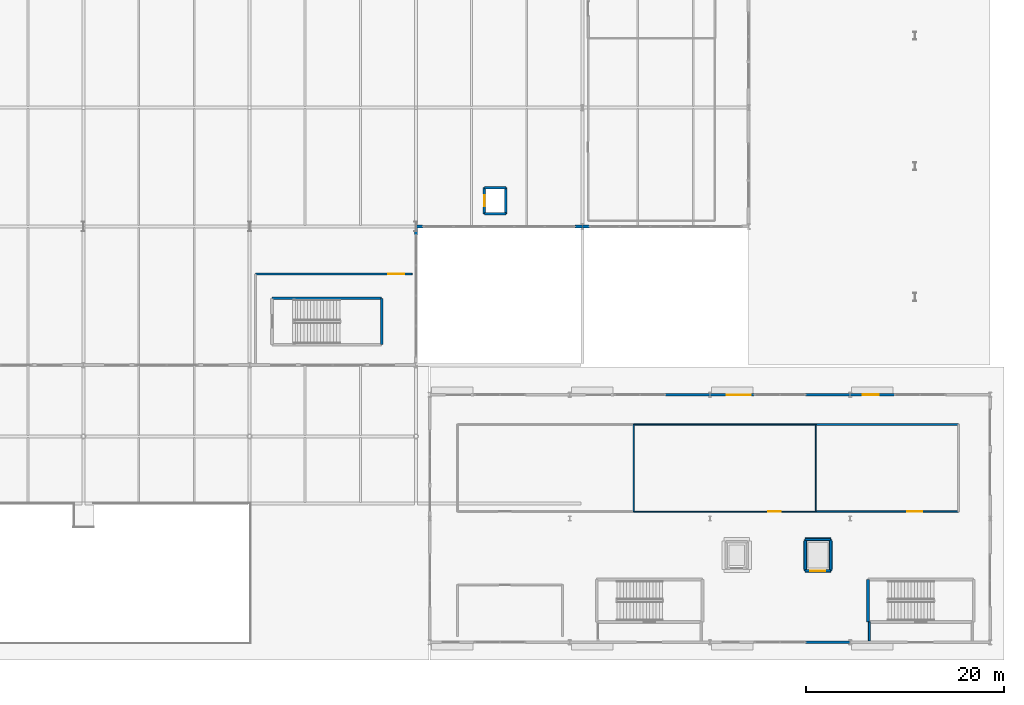
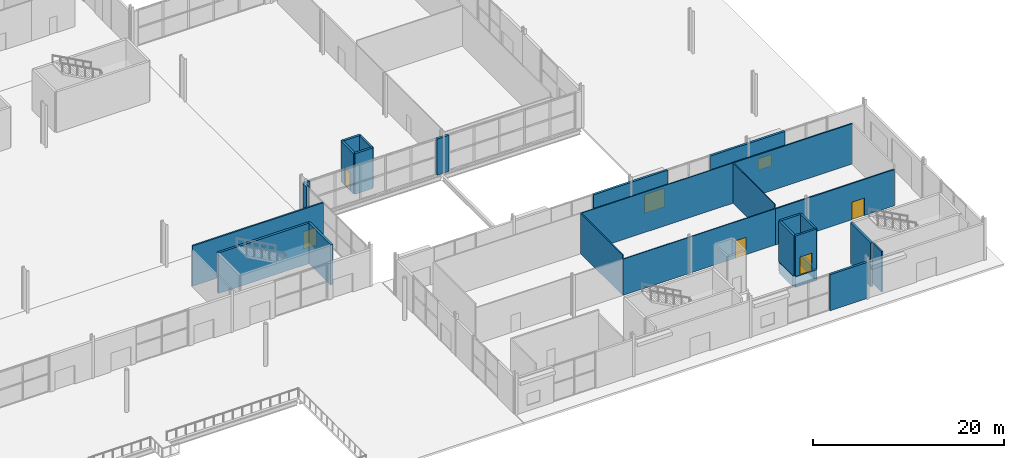
# One storey, part 68 of 87: 32 walls, 6 doors, 1 window, 7 openings.
"""IFC4 building model written with IfcOpenShell, lengths in metres."""

from ifc_helpers import new_model, si_unit, direction, frame, frame_2d, origin, place, context, subcontext, project, spatial, rectangle, extrude, material, layer, layer_set, type_object, element, fill, save


model = new_model("IFC4")

# Units and contexts
model_context = context("Model", 3, precision=1e-05, world=origin(), true_north=direction((0.0, 1.0)))
body_context = subcontext(model_context, "Body", "Model", "MODEL_VIEW")
ifc_project = project(units=[si_unit("LENGTHUNIT", "METRE"), si_unit("AREAUNIT", "SQUARE_METRE"), si_unit("VOLUMEUNIT", "CUBIC_METRE"), si_unit("PLANEANGLEUNIT", "RADIAN"), si_unit("MASSUNIT", "GRAM", prefix="KILO")], contexts=[model_context])

# Site, building, storey
site_placement = place(None, origin())
site = spatial("IfcSite", under=ifc_project, at=site_placement, CompositionType="ELEMENT")
building_placement = place(site_placement, origin())
building = spatial("IfcBuilding", under=site, at=building_placement, Name="Kimbaza Rail Terminus", CompositionType="ELEMENT")
storey_placement = place(building_placement, origin())
storey = spatial("IfcBuildingStorey", under=building, at=storey_placement, Name="L00", CompositionType="ELEMENT", Elevation=0.0)

# Wall
ifc_material_1 = material(Name="Concrete blockwork C30/37", Category="masonry")
ifc_layer_1 = layer(ifc_material_1, 0.260009765625)
ifc_layer_set_1 = layer_set([ifc_layer_1], Name="Concrete blockwork C30/37")
wall_type_1 = type_object("IfcWallType", Name="ARC-WL-EXT260", PredefinedType="STANDARD", material=ifc_layer_set_1)
wall_1_placement = place(storey_placement, frame((181.199951171875, 38.0, 0.0), z_axis=(0.0, 0.0, 1.0), x_axis=(1.0, 0.0, 0.0)))
element("IfcWall", 1, at=wall_1_placement, inside=storey, type_object=wall_type_1, Name="Pavilion N Wall L00.1B", PredefinedType="STANDARD", context=body_context, shape_type="SweptSolid", body=[
    extrude(rectangle(XDim=4.5, YDim=0.260009765625, at=frame_2d((2.25, 0.0))), origin(), (0.0, 0.0, 1.0), 4.625),
])

# Wall, opening, door
wall_2_placement = place(storey_placement, frame((185.699951171875, 38.0, 0.0), z_axis=(0.0, 0.0, 1.0), x_axis=(1.0, 0.0, 0.0)))
wall_2 = element("IfcWall", 2, at=wall_2_placement, inside=storey, type_object=wall_type_1, Name="Pavilion N Wall L00.2A", PredefinedType="STANDARD", context=body_context, shape_type="SweptSolid", body=[
    extrude(rectangle(XDim=4.5, YDim=0.260009765625, at=frame_2d((2.25, 0.0))), origin(), (0.0, 0.0, 1.0), 4.625),
])
opening_1_placement = place(wall_2_placement, frame((1.699951171875, 0.0, 0.0)))
opening_1 = element("IfcOpeningElement", 3, at=opening_1_placement, cuts=wall_2, Name="Opening D-EX1", PredefinedType="OPENING", context=body_context, shape_type="SweptSolid", body=[
    extrude(rectangle(XDim=2.39990234375, YDim=2.39990234375, at=frame_2d((1.199951171875, 1.199951171875))), frame((0.0, 0.139892578125, 0.0), z_axis=(0.0, -1.0, 0.0), x_axis=(1.0, 0.0, 0.0)), (0.0, 0.0, 1.0), 0.280029296875),
])
ifc_material_2 = material(Name="Anodised aluminium and toughened safety glass", Category="aluminium")
door_type_1 = type_object("IfcDoorType", Name="ARC-DR-EX240", OperationType="NOTDEFINED", PredefinedType="DOOR", material=ifc_material_2)
door_1_placement = place(opening_1_placement, origin())
door_1 = element("IfcDoor", 4, at=door_1_placement, inside=storey, type_object=door_type_1, Name="DR-EX-V4N3", OperationType="SINGLE_SWING_LEFT", OverallHeight=2.39990234375, OverallWidth=2.39990234375, PredefinedType="DOOR", context=body_context, shape_type="SweptSolid", body=[
    extrude(rectangle(XDim=2.39990234375, YDim=2.39990234375, at=frame_2d((1.199951171875, 1.199951171875))), frame((0.0, 0.02490234375, 0.0), z_axis=(0.0, -1.0, 0.0), x_axis=(1.0, 0.0, 0.0)), (0.0, 0.0, 1.0), 0.050048828125),
])
fill(opening_1, door_1)

# Wall
wall_3_placement = place(storey_placement, frame((195.35009765625, 38.0, 0.0), z_axis=(0.0, 0.0, 1.0), x_axis=(1.0, 0.0, 0.0)))
element("IfcWall", 5, at=wall_3_placement, inside=storey, type_object=wall_type_1, Name="Pavilion N Wall L00.2B", PredefinedType="STANDARD", context=body_context, shape_type="SweptSolid", body=[
    extrude(rectangle(XDim=4.5, YDim=0.260009765625, at=frame_2d((2.25, 0.0))), origin(), (0.0, 0.0, 1.0), 4.625),
])

# Wall, opening, window
wall_4_placement = place(storey_placement, frame((199.85009765625, 38.0, 0.0), z_axis=(0.0, 0.0, 1.0), x_axis=(1.0, 0.0, 0.0)))
wall_4 = element("IfcWall", 6, at=wall_4_placement, inside=storey, type_object=wall_type_1, Name="Pavilion N Wall L00.3A", PredefinedType="STANDARD", context=body_context, shape_type="SweptSolid", body=[
    extrude(rectangle(XDim=4.5, YDim=0.260009765625, at=frame_2d((2.25, 0.0))), origin(), (0.0, 0.0, 1.0), 4.625),
])
opening_2_placement = place(wall_4_placement, frame((1.300048828125, 0.0, 0.699951171875)))
opening_2 = element("IfcOpeningElement", 7, at=opening_2_placement, cuts=wall_4, Name="Opening W-18", PredefinedType="OPENING", context=body_context, shape_type="SweptSolid", body=[
    extrude(rectangle(XDim=1.60009765625, YDim=1.5, at=frame_2d((0.800048828125, 0.75))), frame((0.0, 0.139892578125, 0.0), z_axis=(0.0, -1.0, 0.0), x_axis=(1.0, 0.0, 0.0)), (0.0, 0.0, 1.0), 0.280029296875),
])
ifc_material_3 = material(Name="Thermally broken aluminium and solar low-E glass", Category="aluminium")
window_type = type_object("IfcWindowType", Name="ARC-WIN-W-18", PartitioningType="SINGLE_PANEL", PredefinedType="WINDOW", material=ifc_material_3)
window_placement = place(opening_2_placement, origin())
window = element("IfcWindow", 8, at=window_placement, inside=storey, type_object=window_type, Name="Pavilion Window L00.4", OverallHeight=1.5, OverallWidth=1.60009765625, PartitioningType="SINGLE_PANEL", PredefinedType="WINDOW", context=body_context, shape_type="SweptSolid", body=[
    extrude(rectangle(XDim=1.60009765625, YDim=1.5, at=frame_2d((0.800048828125, 0.75))), frame((0.0, 0.030029296875, 0.0), z_axis=(0.0, -1.0, 0.0), x_axis=(1.0, 0.0, 0.0)), (0.0, 0.0, 1.0), 0.06005859375),
])
fill(opening_2, window)

# Walls
wall_5_placement = place(storey_placement, frame((195.35009765625, 13.0, 0.0), z_axis=(0.0, 0.0, 1.0), x_axis=(1.0, 0.0, 0.0)))
element("IfcWall", 9, at=wall_5_placement, inside=storey, type_object=wall_type_1, Name="Pavilion S Wall L00.2B", PredefinedType="STANDARD", context=body_context, shape_type="SweptSolid", body=[
    extrude(rectangle(XDim=4.5, YDim=0.260009765625, at=frame_2d((2.25, 0.0))), origin(), (0.0, 0.0, 1.0), 4.625),
])
ifc_material_4 = material(Name="Precast concrete C40/50", Category="concrete")
ifc_layer_2 = layer(ifc_material_4, 0.280029296875)
ifc_layer_set_2 = layer_set([ifc_layer_2], Name="Precast concrete C40/50")
wall_type_2 = type_object("IfcWallType", Name="ARC-WL-EXT280", PredefinedType="STANDARD", material=ifc_layer_set_2)
wall_6_placement = place(storey_placement, frame((156.0, 54.139892578125, 0.0), z_axis=(0.0, 0.0, 1.0), x_axis=(0.0, 1.0, 0.0)))
element("IfcWall", 10, at=wall_6_placement, inside=storey, type_object=wall_type_2, Name="Concourse E Return Curtain Wall L00 Corner Pier B", PredefinedType="STANDARD", context=body_context, shape_type="SweptSolid", body=[
    extrude(rectangle(XDim=0.72021484375, YDim=0.280029296875, at=frame_2d((0.360107421875, 0.0))), origin(), (0.0, 0.0, 1.0), 4.625),
])
for number, where, z_axis, x_axis, name in (
    (11, (156.0, 55.0, 0.0), (0.0, 0.0, 1.0), (1.0, 0.0, 0.0), "Ticket Hall Wing E Curtain Wall L00.1 Corner Pier A"),
    (12, (172.080078125, 55.0, 0.0), (0.0, 0.0, 1.0), (1.0, 0.0, 0.0), "Ticket Hall Wing E Curtain Wall L00.1 Corner Pier B"),
    (13, (172.800048828125, 55.0, 0.0), (0.0, 0.0, 1.0), (1.0, 0.0, 0.0), "Ticket Hall Wing E Curtain Wall L00.2 Corner Pier A"),
):
    element("IfcWall", number, at=place(storey_placement, frame(where, z_axis=z_axis, x_axis=x_axis)), inside=storey, type_object=wall_type_2, Name=name, PredefinedType="STANDARD", context=body_context, shape_type="SweptSolid", body=[
        extrude(rectangle(XDim=0.719970703125, YDim=0.280029296875, at=frame_2d((0.35986328125, 0.0))), origin(), (0.0, 0.0, 1.0), 4.625),
    ])

# Wall, opening, door
ifc_material_5 = material(Name="Concrete blockwork C30/37", Category="masonry")
ifc_layer_3 = layer(ifc_material_5, 0.179931640625)
ifc_layer_set_3 = layer_set([ifc_layer_3], Name="Concrete blockwork C30/37")
wall_type_3 = type_object("IfcWallType", Name="ARC-WL-FIRE180", PredefinedType="PARTITIONING", material=ifc_layer_set_3)
wall_7_placement = place(storey_placement, frame((155.60009765625, 50.199951171875, 0.0), z_axis=(0.0, 0.0, 1.0), x_axis=(-1.0, 0.0, 0.0)))
wall_7 = element("IfcWall", 14, at=wall_7_placement, inside=storey, type_object=wall_type_3, Name="Protected Exit Vestibule ST-S2 Partition (north)", PredefinedType="PARTITIONING", context=body_context, shape_type="SweptSolid", body=[
    extrude(rectangle(XDim=15.800048828125, YDim=0.179931640625, at=frame_2d((7.89990234375, 0.0))), origin(), (0.0, 0.0, 1.0), 5.159912109375),
])
opening_3_placement = place(wall_7_placement, frame((0.800048828125, 0.0, 0.0)))
opening_3 = element("IfcOpeningElement", 15, at=opening_3_placement, cuts=wall_7, Name="Opening FD-05", PredefinedType="OPENING", context=body_context, shape_type="SweptSolid", body=[
    extrude(rectangle(XDim=1.60009765625, YDim=2.25, at=frame_2d((0.800048828125, 1.125))), frame((0.0, 0.099853515625, 0.0), z_axis=(0.0, -1.0, 0.0), x_axis=(1.0, 0.0, 0.0)), (0.0, 0.0, 1.0), 0.199951171875),
])
ifc_material_6 = material(Name="Substation double-leaf steel fire door", Category="steel")
door_type_2 = type_object("IfcDoorType", Name="ARC-DR-FD160", OperationType="NOTDEFINED", PredefinedType="DOOR", material=ifc_material_6)
door_2_placement = place(opening_3_placement, origin())
door_2 = element("IfcDoor", 16, at=door_2_placement, inside=storey, type_object=door_type_2, Name="IDR-SPC-EXV-STS2", OperationType="SINGLE_SWING_LEFT", OverallHeight=2.25, OverallWidth=1.60009765625, PredefinedType="DOOR", context=body_context, shape_type="SweptSolid", body=[
    extrude(rectangle(XDim=1.60009765625, YDim=2.25, at=frame_2d((0.800048828125, 1.125))), frame((0.0, 0.02490234375, 0.0), z_axis=(0.0, -1.0, 0.0), x_axis=(1.0, 0.0, 0.0)), (0.0, 0.0, 1.0), 0.050048828125),
])
fill(opening_3, door_2)

# Wall
wall_8_placement = place(storey_placement, frame((201.800048828125, 15.06005859375, 0.0), z_axis=(0.0, 0.0, 1.0), x_axis=(0.0, -1.0, 0.0)))
element("IfcWall", 17, at=wall_8_placement, inside=storey, type_object=wall_type_3, Name="Protected Exit Vestibule ST-P2 Partition (west)", PredefinedType="PARTITIONING", context=body_context, shape_type="SweptSolid", body=[
    extrude(rectangle(XDim=1.920166015625, YDim=0.179931640625, at=frame_2d((0.9599609375, 0.0))), origin(), (0.0, 0.0, 1.0), 5.159912109375),
])

# Wall, opening, door
ifc_material_7 = material(Name="Demountable acoustic glass wall", Category="glass")
ifc_layer_4 = layer(ifc_material_7, 0.110107421875)
ifc_layer_set_4 = layer_set([ifc_layer_4], Name="Demountable acoustic glass wall")
wall_type_4 = type_object("IfcWallType", Name="ARC-WL-MOV110", PredefinedType="MOVABLE", material=ifc_layer_set_4)
wall_9_placement = place(storey_placement, frame((178.0, 26.199951171875, 0.0), z_axis=(0.0, 0.0, 1.0), x_axis=(1.0, 0.0, 0.0)))
wall_9 = element("IfcWall", 18, at=wall_9_placement, inside=storey, type_object=wall_type_4, Name="Artisanal Crafts and Gift Market Partition (south)", PredefinedType="MOVABLE", context=body_context, shape_type="SweptSolid", body=[
    extrude(rectangle(XDim=18.39990234375, YDim=0.110107421875, at=frame_2d((9.199951171875, 0.0))), origin(), (0.0, 0.0, 1.0), 4.625),
])
opening_4_placement = place(wall_9_placement, frame((13.56005859375, 0.0, 0.0)))
opening_4 = element("IfcOpeningElement", 19, at=opening_4_placement, cuts=wall_9, Name="Opening ID-12", PredefinedType="OPENING", context=body_context, shape_type="SweptSolid", body=[
    extrude(rectangle(XDim=1.280029296875, YDim=2.219970703125, at=frame_2d((0.64013671875, 1.10986328125))), frame((0.0, 0.06494140625, 0.0), z_axis=(0.0, -1.0, 0.0), x_axis=(1.0, 0.0, 0.0)), (0.0, 0.0, 1.0), 0.130126953125),
])
ifc_material_8 = material(Name="Engineering studio double-seal door", Category="wood")
door_type_3 = type_object("IfcDoorType", Name="ARC-DR-ID128", OperationType="NOTDEFINED", PredefinedType="DOOR", material=ifc_material_8)
door_3_placement = place(opening_4_placement, origin())
door_3 = element("IfcDoor", 20, at=door_3_placement, inside=storey, type_object=door_type_3, Name="IDR-SPC-V4-L00-SHP2", OperationType="SINGLE_SWING_RIGHT", OverallHeight=2.219970703125, OverallWidth=1.280029296875, PredefinedType="DOOR", context=body_context, shape_type="SweptSolid", body=[
    extrude(rectangle(XDim=1.280029296875, YDim=2.219970703125, at=frame_2d((0.64013671875, 1.10986328125))), frame((0.0, 0.02490234375, 0.0), z_axis=(0.0, -1.0, 0.0), x_axis=(1.0, 0.0, 0.0)), (0.0, 0.0, 1.0), 0.050048828125),
])
fill(opening_4, door_3)

# Walls
wall_10_placement = place(storey_placement, frame((196.39990234375, 26.199951171875, 0.0), z_axis=(0.0, 0.0, 1.0), x_axis=(0.0, 1.0, 0.0)))
element("IfcWall", 21, at=wall_10_placement, inside=storey, type_object=wall_type_4, Name="Artisanal Crafts and Gift Market Partition (east)", PredefinedType="MOVABLE", context=body_context, shape_type="SweptSolid", body=[
    extrude(rectangle(XDim=8.800048828125, YDim=0.110107421875, at=frame_2d((4.39990234375, 0.0))), origin(), (0.0, 0.0, 1.0), 5.159912109375),
])
wall_11_placement = place(storey_placement, frame((196.39990234375, 35.0, 0.0), z_axis=(0.0, 0.0, 1.0), x_axis=(-1.0, 0.0, 0.0)))
element("IfcWall", 22, at=wall_11_placement, inside=storey, type_object=wall_type_4, Name="Artisanal Crafts and Gift Market Partition (north)", PredefinedType="MOVABLE", context=body_context, shape_type="SweptSolid", body=[
    extrude(rectangle(XDim=18.39990234375, YDim=0.110107421875, at=frame_2d((9.199951171875, 0.0))), origin(), (0.0, 0.0, 1.0), 5.159912109375),
])
ifc_material_9 = material(Name="Moisture-resistant stud wall", Category="gypsum")
ifc_layer_5 = layer(ifc_material_9, 0.1201171875)
ifc_layer_set_5 = layer_set([ifc_layer_5], Name="Moisture-resistant stud wall")
wall_type_5 = type_object("IfcWallType", Name="ARC-WL-PART120", PredefinedType="PARTITIONING", material=ifc_layer_set_5)
wall_12_placement = place(storey_placement, frame((178.0, 26.199951171875, 0.0), z_axis=(0.0, 0.0, 1.0), x_axis=(0.0, 1.0, 0.0)))
element("IfcWall", 23, at=wall_12_placement, inside=storey, type_object=wall_type_5, Name="Commuter Supermarket and Bakery Partition (east)", PredefinedType="PARTITIONING", context=body_context, shape_type="SweptSolid", body=[
    extrude(rectangle(XDim=8.800048828125, YDim=0.1201171875, at=frame_2d((4.39990234375, 0.0))), origin(), (0.0, 0.0, 1.0), 5.159912109375),
])

# Wall, opening, door
ifc_material_10 = material(Name="Acoustic gypsum stud partition", Category="gypsum")
ifc_layer_6 = layer(ifc_material_10, 0.159912109375)
ifc_layer_set_6 = layer_set([ifc_layer_6], Name="Acoustic gypsum stud partition")
wall_type_6 = type_object("IfcWallType", Name="ARC-WL-PART160", PredefinedType="PARTITIONING", material=ifc_layer_set_6)
wall_13_placement = place(storey_placement, frame((196.39990234375, 26.199951171875, 0.0), z_axis=(0.0, 0.0, 1.0), x_axis=(1.0, 0.0, 0.0)))
wall_13 = element("IfcWall", 24, at=wall_13_placement, inside=storey, type_object=wall_type_6, Name="Catering and Retail Loading Bay Partition (south)", PredefinedType="PARTITIONING", context=body_context, shape_type="SweptSolid", body=[
    extrude(rectangle(XDim=14.400146484375, YDim=0.159912109375, at=frame_2d((7.2001953125, 0.0))), origin(), (0.0, 0.0, 1.0), 4.625),
])
opening_5_placement = place(wall_13_placement, frame((10.75, 0.0, 0.0), z_axis=(0.0, 0.0, 1.0), x_axis=(-1.0, 0.0, 0.0)))
opening_5 = element("IfcOpeningElement", 25, at=opening_5_placement, cuts=wall_13, Name="Opening ID-01", PredefinedType="OPENING", context=body_context, shape_type="SweptSolid", body=[
    extrude(rectangle(XDim=1.5, YDim=2.25, at=frame_2d((0.75, 1.125))), frame((0.0, 0.08984375, 0.0), z_axis=(0.0, -1.0, 0.0), x_axis=(1.0, 0.0, 0.0)), (0.0, 0.0, 1.0), 0.179931640625),
])
ifc_material_11 = material(Name="Anodised aluminium glazed concourse door", Category="aluminium")
door_type_4 = type_object("IfcDoorType", Name="ARC-DR-ID150", OperationType="NOTDEFINED", PredefinedType="DOOR", material=ifc_material_11)
door_4_placement = place(opening_5_placement, origin())
door_4 = element("IfcDoor", 26, at=door_4_placement, inside=storey, type_object=door_type_4, Name="IDR-SPC-V4-L00-LOAD", OperationType="SINGLE_SWING_LEFT", OverallHeight=2.25, OverallWidth=1.5, PredefinedType="DOOR", context=body_context, shape_type="SweptSolid", body=[
    extrude(rectangle(XDim=1.5, YDim=2.25, at=frame_2d((0.75, 1.125))), frame((0.0, 0.02490234375, 0.0), z_axis=(0.0, -1.0, 0.0), x_axis=(1.0, 0.0, 0.0)), (0.0, 0.0, 1.0), 0.050048828125),
])
fill(opening_5, door_4)

# Walls
wall_14_placement = place(storey_placement, frame((210.800048828125, 35.0, 0.0), z_axis=(0.0, 0.0, 1.0), x_axis=(-1.0, 0.0, 0.0)))
element("IfcWall", 27, at=wall_14_placement, inside=storey, type_object=wall_type_6, Name="Catering and Retail Loading Bay Partition (north)", PredefinedType="PARTITIONING", context=body_context, shape_type="SweptSolid", body=[
    extrude(rectangle(XDim=14.400146484375, YDim=0.159912109375, at=frame_2d((7.2001953125, 0.0))), origin(), (0.0, 0.0, 1.0), 5.159912109375),
])
ifc_material_12 = material(Name="Concrete C40/50", Category="concrete")
ifc_layer_7 = layer(ifc_material_12, 0.25)
ifc_layer_set_7 = layer_set([ifc_layer_7], Name="Concrete C40/50")
wall_type_7 = type_object("IfcWallType", Name="STR-WL-CORE250", PredefinedType="SHEAR", material=ifc_layer_set_7)
wall_15_placement = place(storey_placement, frame((162.919921875, 56.27001953125, 0.0), z_axis=(0.0, 0.0, 1.0), x_axis=(1.0, 0.0, 0.0)))
element("IfcWall", 28, at=wall_15_placement, inside=storey, type_object=wall_type_7, Name="Lift Shaft Wall LP-06 L00-1", PredefinedType="SHEAR", context=body_context, shape_type="SweptSolid", body=[
    extrude(rectangle(XDim=2.16015625, YDim=0.25, at=frame_2d((1.080078125, 0.0))), origin(), (0.0, 0.0, 1.0), 5.179931640625),
])
wall_16_placement = place(storey_placement, frame((165.080078125, 56.27001953125, 0.0), z_axis=(0.0, 0.0, 1.0), x_axis=(0.0, 1.0, 0.0)))
element("IfcWall", 29, at=wall_16_placement, inside=storey, type_object=wall_type_7, Name="Lift Shaft Wall LP-06 L00-2", PredefinedType="SHEAR", context=body_context, shape_type="SweptSolid", body=[
    extrude(rectangle(XDim=2.659912109375, YDim=0.25, at=frame_2d((1.330078125, 0.0))), origin(), (0.0, 0.0, 1.0), 5.179931640625),
])
wall_17_placement = place(storey_placement, frame((165.080078125, 58.929931640625, 0.0), z_axis=(0.0, 0.0, 1.0), x_axis=(-1.0, 0.0, 0.0)))
element("IfcWall", 30, at=wall_17_placement, inside=storey, type_object=wall_type_7, Name="Lift Shaft Wall LP-06 L00-3", PredefinedType="SHEAR", context=body_context, shape_type="SweptSolid", body=[
    extrude(rectangle(XDim=2.16015625, YDim=0.25, at=frame_2d((1.080078125, 0.0))), origin(), (0.0, 0.0, 1.0), 5.179931640625),
])

# Wall, opening, door
wall_18_placement = place(storey_placement, frame((162.919921875, 58.929931640625, 0.0), z_axis=(0.0, 0.0, 1.0), x_axis=(0.0, -1.0, 0.0)))
wall_18 = element("IfcWall", 31, at=wall_18_placement, inside=storey, type_object=wall_type_7, Name="Lift Shaft Wall LP-06 L00-4", PredefinedType="SHEAR", context=body_context, shape_type="SweptSolid", body=[
    extrude(rectangle(XDim=2.659912109375, YDim=0.25, at=frame_2d((1.330078125, 0.0))), origin(), (0.0, 0.0, 1.0), 5.179931640625),
])
opening_6_placement = place(wall_18_placement, frame((0.780029296875, 0.0, 0.0)))
opening_6 = element("IfcOpeningElement", 32, at=opening_6_placement, cuts=wall_18, Name="Opening LD-01", PredefinedType="OPENING", context=body_context, shape_type="SweptSolid", body=[
    extrude(rectangle(XDim=1.10009765625, YDim=2.199951171875, at=frame_2d((0.550048828125, 1.10009765625))), frame((0.0, 0.135009765625, 0.0), z_axis=(0.0, -1.0, 0.0), x_axis=(1.0, 0.0, 0.0)), (0.0, 0.0, 1.0), 0.27001953125),
])
ifc_material_13 = material(Name="Brushed stainless steel sliding landing door", Category="steel")
door_type_5 = type_object("IfcDoorType", Name="ARC-DR-LD110", OperationType="NOTDEFINED", PredefinedType="DOOR", material=ifc_material_13)
door_5_placement = place(opening_6_placement, origin())
door_5 = element("IfcDoor", 33, at=door_5_placement, inside=storey, type_object=door_type_5, Name="LDR-LP-06-L00", OperationType="SLIDING_TO_RIGHT", OverallHeight=2.199951171875, OverallWidth=1.10009765625, PredefinedType="DOOR", context=body_context, shape_type="SweptSolid", body=[
    extrude(rectangle(XDim=1.10009765625, YDim=2.199951171875, at=frame_2d((0.550048828125, 1.10009765625))), frame((0.0, 0.02490234375, 0.0), z_axis=(0.0, -1.0, 0.0), x_axis=(1.0, 0.0, 0.0)), (0.0, 0.0, 1.0), 0.050048828125),
])
fill(opening_6, door_5)

wall_19_placement = place(storey_placement, frame((195.320068359375, 20.219970703125, 0.0), z_axis=(0.0, 0.0, 1.0), x_axis=(1.0, 0.0, 0.0)))
wall_19 = element("IfcWall", 34, at=wall_19_placement, inside=storey, type_object=wall_type_7, Name="Lift Shaft Wall LG-02 L00-1", PredefinedType="SHEAR", context=body_context, shape_type="SweptSolid", body=[
    extrude(rectangle(XDim=2.559814453125, YDim=0.25, at=frame_2d((1.27978515625, 0.0))), origin(), (0.0, 0.0, 1.0), 5.179931640625),
])
opening_7_placement = place(wall_19_placement, frame((0.530029296875, 0.0, 0.0)))
opening_7 = element("IfcOpeningElement", 35, at=opening_7_placement, cuts=wall_19, Name="Opening LD-03", PredefinedType="OPENING", context=body_context, shape_type="SweptSolid", body=[
    extrude(rectangle(XDim=1.5, YDim=2.300048828125, at=frame_2d((0.75, 1.14990234375))), frame((0.0, 0.135009765625, 0.0), z_axis=(0.0, -1.0, 0.0), x_axis=(1.0, 0.0, 0.0)), (0.0, 0.0, 1.0), 0.27001953125),
])
ifc_material_14 = material(Name="Heavy goods stainless steel landing door", Category="steel")
door_type_6 = type_object("IfcDoorType", Name="ARC-DR-LD150", OperationType="NOTDEFINED", PredefinedType="DOOR", material=ifc_material_14)
door_6_placement = place(opening_7_placement, origin())
door_6 = element("IfcDoor", 36, at=door_6_placement, inside=storey, type_object=door_type_6, Name="LDR-LG-02-L00", OperationType="SLIDING_TO_LEFT", OverallHeight=2.300048828125, OverallWidth=1.5, PredefinedType="DOOR", context=body_context, shape_type="SweptSolid", body=[
    extrude(rectangle(XDim=1.5, YDim=2.300048828125, at=frame_2d((0.75, 1.14990234375))), frame((0.0, 0.02490234375, 0.0), z_axis=(0.0, -1.0, 0.0), x_axis=(1.0, 0.0, 0.0)), (0.0, 0.0, 1.0), 0.050048828125),
])
fill(opening_7, door_6)

# Walls
wall_20_placement = place(storey_placement, frame((197.8798828125, 20.219970703125, 0.0), z_axis=(0.0, 0.0, 1.0), x_axis=(0.0, 1.0, 0.0)))
element("IfcWall", 37, at=wall_20_placement, inside=storey, type_object=wall_type_7, Name="Lift Shaft Wall LG-02 L00-2", PredefinedType="SHEAR", context=body_context, shape_type="SweptSolid", body=[
    extrude(rectangle(XDim=3.159912109375, YDim=0.25, at=frame_2d((1.580078125, 0.0))), origin(), (0.0, 0.0, 1.0), 5.179931640625),
])
wall_21_placement = place(storey_placement, frame((197.8798828125, 23.3798828125, 0.0), z_axis=(0.0, 0.0, 1.0), x_axis=(-1.0, 0.0, 0.0)))
element("IfcWall", 38, at=wall_21_placement, inside=storey, type_object=wall_type_7, Name="Lift Shaft Wall LG-02 L00-3", PredefinedType="SHEAR", context=body_context, shape_type="SweptSolid", body=[
    extrude(rectangle(XDim=2.559814453125, YDim=0.25, at=frame_2d((1.27978515625, 0.0))), origin(), (0.0, 0.0, 1.0), 5.179931640625),
])
wall_22_placement = place(storey_placement, frame((195.320068359375, 23.3798828125, 0.0), z_axis=(0.0, 0.0, 1.0), x_axis=(0.0, -1.0, 0.0)))
element("IfcWall", 39, at=wall_22_placement, inside=storey, type_object=wall_type_7, Name="Lift Shaft Wall LG-02 L00-4", PredefinedType="SHEAR", context=body_context, shape_type="SweptSolid", body=[
    extrude(rectangle(XDim=3.159912109375, YDim=0.25, at=frame_2d((1.580078125, 0.0))), origin(), (0.0, 0.0, 1.0), 5.179931640625),
])
ifc_material_15 = material(Name="Concrete C40/50", Category="concrete")
ifc_layer_8 = layer(ifc_material_15, 0.280029296875)
ifc_layer_set_8 = layer_set([ifc_layer_8], Name="Concrete C40/50")
wall_type_8 = type_object("IfcWallType", Name="STR-WL-CORE280", PredefinedType="SHEAR", material=ifc_layer_set_8)
wall_23_placement = place(storey_placement, frame((152.5400390625, 43.06005859375, 0.0), z_axis=(0.0, 0.0, 1.0), x_axis=(0.0, 1.0, 0.0)))
element("IfcWall", 40, at=wall_23_placement, inside=storey, type_object=wall_type_8, Name="South Metro Concourse East Stair Shaft Wall L00-2", PredefinedType="SHEAR", context=body_context, shape_type="SweptSolid", body=[
    extrude(rectangle(XDim=4.679931640625, YDim=0.280029296875, at=frame_2d((2.33984375, 0.0))), origin(), (0.0, 0.0, 1.0), 5.179931640625),
])
wall_24_placement = place(storey_placement, frame((152.5400390625, 47.739990234375, 0.0), z_axis=(0.0, 0.0, 1.0), x_axis=(-1.0, 0.0, 0.0)))
element("IfcWall", 41, at=wall_24_placement, inside=storey, type_object=wall_type_8, Name="South Metro Concourse East Stair Shaft Wall L00-3", PredefinedType="SHEAR", context=body_context, shape_type="SweptSolid", body=[
    extrude(rectangle(XDim=11.080078125, YDim=0.280029296875, at=frame_2d((5.5400390625, 0.0))), origin(), (0.0, 0.0, 1.0), 5.179931640625),
])
wall_25_placement = place(storey_placement, frame((201.659912109375, 19.340087890625, -0.449951171875), z_axis=(0.0, 0.0, 1.0), x_axis=(0.0, -1.0, 0.0)))
element("IfcWall", 42, at=wall_25_placement, inside=storey, type_object=wall_type_8, Name="Retail Pavilion East Stair Shaft Wall L00-4", PredefinedType="SHEAR", context=body_context, shape_type="SweptSolid", body=[
    extrude(rectangle(XDim=4.280029296875, YDim=0.280029296875, at=frame_2d((2.14013671875, 0.0))), origin(), (0.0, 0.0, 1.0), 5.6298828125),
])
ifc_material_16 = material(Name="Concrete C40/50", Category="concrete")
ifc_layer_9 = layer(ifc_material_16, 0.35009765625)
ifc_layer_set_9 = layer_set([ifc_layer_9], Name="Concrete C40/50")
wall_type_9 = type_object("IfcWallType", Name="STR-WL-RET350", PredefinedType="SOLIDWALL", material=ifc_layer_set_9)
wall_26_placement = place(storey_placement, frame((195.300048828125, 20.199951171875, -1.35009765625), z_axis=(0.0, 0.0, 1.0), x_axis=(1.0, 0.0, 0.0)))
element("IfcWall", 43, at=wall_26_placement, inside=storey, type_object=wall_type_9, Name="Lift Pit Wall LG-02-1", PredefinedType="SOLIDWALL", context=body_context, shape_type="SweptSolid", body=[
    extrude(rectangle(XDim=2.599853515625, YDim=0.35009765625, at=frame_2d((1.2998046875, 0.0))), origin(), (0.0, 0.0, 1.0), 1.35009765625),
])
wall_27_placement = place(storey_placement, frame((197.89990234375, 20.375, -1.35009765625), z_axis=(0.0, 0.0, 1.0), x_axis=(0.0, 1.0, 0.0)))
element("IfcWall", 44, at=wall_27_placement, inside=storey, type_object=wall_type_9, Name="Lift Pit Wall LG-02-2", PredefinedType="SOLIDWALL", context=body_context, shape_type="SweptSolid", body=[
    extrude(rectangle(XDim=2.85009765625, YDim=0.35009765625, at=frame_2d((1.425048828125, 0.0))), origin(), (0.0, 0.0, 1.0), 1.35009765625),
])
wall_28_placement = place(storey_placement, frame((197.89990234375, 23.39990234375, -1.35009765625), z_axis=(0.0, 0.0, 1.0), x_axis=(-1.0, 0.0, 0.0)))
element("IfcWall", 45, at=wall_28_placement, inside=storey, type_object=wall_type_9, Name="Lift Pit Wall LG-02-3", PredefinedType="SOLIDWALL", context=body_context, shape_type="SweptSolid", body=[
    extrude(rectangle(XDim=2.599853515625, YDim=0.35009765625, at=frame_2d((1.2998046875, 0.0))), origin(), (0.0, 0.0, 1.0), 1.35009765625),
])
wall_29_placement = place(storey_placement, frame((195.300048828125, 23.22509765625, -1.35009765625), z_axis=(0.0, 0.0, 1.0), x_axis=(0.0, -1.0, 0.0)))
element("IfcWall", 46, at=wall_29_placement, inside=storey, type_object=wall_type_9, Name="Lift Pit Wall LG-02-4", PredefinedType="SOLIDWALL", context=body_context, shape_type="SweptSolid", body=[
    extrude(rectangle(XDim=2.85009765625, YDim=0.35009765625, at=frame_2d((1.425048828125, 0.0))), origin(), (0.0, 0.0, 1.0), 1.35009765625),
])

save(model, "model.ifc")
